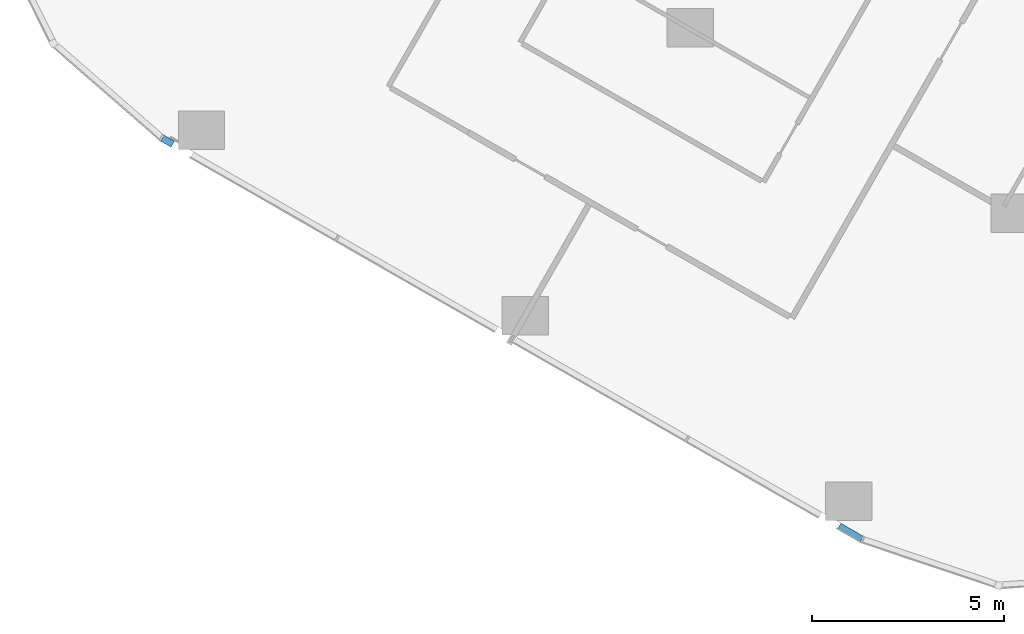
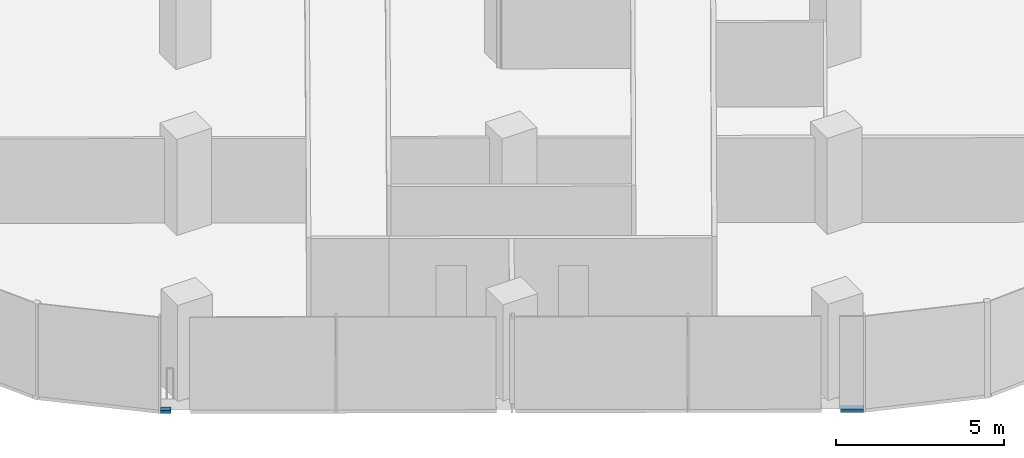
# One storey, part 16 of 34: 2 members, 1 element without a shape of its own.
"""IFC4 building model written with IfcOpenShell, lengths in metres."""

import ifcopenshell
import ifcopenshell.guid

model = None  # the IFC model being written
_history = None  # IfcOwnerHistory: only IFC2X3 demands one
_inside = {}  # id of a spatial element -> (the spatial element, [elements in it])
_under = {}  # id of a project, library or spatial element -> (it, [spatial elements below it])
_declared = {}  # id of a project -> (the project, [libraries it declares])
_typed = {}  # id of a type object -> (the type object, [elements of that type])
_made_of = {}  # id of a material, layer set ... -> (it, [elements and type objects made of it])


def new_model(schema):
    """Start an empty IFC model of exactly this schema.

    Asked for "IFC4X3", IfcOpenShell would pick the latest addendum, in which some entities
    have other attributes; the version numbers below select the first issue.
    IFC2X3 requires an IfcOwnerHistory on every rooted entity: one is made here for all.
    """
    global model, _history
    if schema == "IFC4X3":
        model = ifcopenshell.file(schema_version=(4, 3, 0, 0))
    else:
        model = ifcopenshell.file(schema=schema)
    _inside.clear()
    _under.clear()
    _declared.clear()
    _typed.clear()
    _made_of.clear()
    _history = None
    if model.schema == "IFC2X3":
        org = make("IfcOrganization", Name="unknown")
        user = make(
            "IfcPersonAndOrganization",
            ThePerson=make("IfcPerson", FamilyName="unknown"),
            TheOrganization=org,
        )
        app = make(
            "IfcApplication",
            ApplicationDeveloper=org,
            Version="unknown",
            ApplicationFullName="unknown",
            ApplicationIdentifier="unknown",
        )
        _history = make(
            "IfcOwnerHistory",
            OwningUser=user,
            OwningApplication=app,
            ChangeAction="ADDED",
            CreationDate=0,
        )
    return model


def make(cls, **values):
    """One entity of the class cls with the attributes given. An attribute that is None is left unset."""
    return model.create_entity(
        cls, **{name: value for name, value in values.items() if value is not None}
    )


def rooted(cls, **values):
    """An entity with a GlobalId (a new one), such as an element, a storey or a relation."""
    return make(cls, GlobalId=ifcopenshell.guid.new(), OwnerHistory=_history, **values)


def si_unit(unit_type, name, prefix=None):
    """IfcSIUnit, for example si_unit("LENGTHUNIT", "METRE", prefix="MILLI")."""
    return make("IfcSIUnit", UnitType=unit_type, Prefix=prefix, Name=name)


def assignment(units):
    """IfcUnitAssignment: the units of a project."""
    return None if units is None else make("IfcUnitAssignment", Units=units)


def point(xyz):
    """IfcCartesianPoint."""
    return None if xyz is None else make("IfcCartesianPoint", Coordinates=xyz)


def direction(xyz):
    """IfcDirection."""
    return None if xyz is None else make("IfcDirection", DirectionRatios=xyz)


def frame(location, z_axis=None, x_axis=None):
    """IfcAxis2Placement3D, a coordinate frame: its origin and axes. An axis left out is left unset."""
    return make(
        "IfcAxis2Placement3D",
        Location=point(location),
        Axis=direction(z_axis),
        RefDirection=direction(x_axis),
    )


def frame_2d(location, x_axis=None):
    """IfcAxis2Placement2D, a coordinate frame in the plane: its origin and x axis."""
    return make(
        "IfcAxis2Placement2D", Location=point(location), RefDirection=direction(x_axis)
    )


def origin():
    """The frame at (0, 0, 0) with its axes left unset."""
    return frame((0.0, 0.0, 0.0))


def origin_2d():
    """The frame at (0, 0) in the plane with its x axis left unset."""
    return frame_2d((0.0, 0.0))


def place(relative_to, where):
    """IfcLocalPlacement: puts the frame where relative to a parent placement (None: the world)."""
    return make(
        "IfcLocalPlacement", PlacementRelTo=relative_to, RelativePlacement=where
    )


def context(
    kind, dimensions, precision=None, world=None, true_north=None, identifier=None
):
    """IfcGeometricRepresentationContext, for example the 3D "Model" context."""
    return make(
        "IfcGeometricRepresentationContext",
        ContextIdentifier=identifier,
        ContextType=kind,
        CoordinateSpaceDimension=dimensions,
        Precision=precision,
        WorldCoordinateSystem=world,
        TrueNorth=true_north,
    )


def subcontext(parent, identifier, kind, view, scale=None):
    """IfcGeometricRepresentationSubContext, for example "Body" below "Model"."""
    return make(
        "IfcGeometricRepresentationSubContext",
        ContextIdentifier=identifier,
        ContextType=kind,
        ParentContext=parent,
        TargetScale=scale,
        TargetView=view,
    )


def project(units=None, contexts=None):
    """IfcProject with its units and contexts."""
    return rooted(
        "IfcProject",
        Name="project",
        RepresentationContexts=contexts,
        UnitsInContext=assignment(units),
    )


def spatial(cls, under=None, at=None, **own):
    """A site, building, storey or space (cls), placed at a placement, below another one or the project."""
    s = rooted(cls, ObjectPlacement=at, **own)
    if under is not None:
        _under.setdefault(under.id(), (under, []))[1].append(s)
    return s


def profile(cls, at=None, kind="AREA", **sizes):
    """A parametric profile (cls). Its sizes go by their IFC names, for example OverallWidth=200.0."""
    return make(cls, ProfileType=kind, Position=at, **sizes)


def rectangle(**sizes):
    """IfcRectangleProfileDef."""
    return profile("IfcRectangleProfileDef", **sizes)


def extrude(swept, where, along, depth):
    """IfcExtrudedAreaSolid: the profile swept, set in the frame where, extruded along a direction by depth."""
    return make(
        "IfcExtrudedAreaSolid",
        SweptArea=swept,
        Position=where,
        ExtrudedDirection=direction(along),
        Depth=depth,
    )


def shape(context_of_items, identifier, shape_type, items):
    """IfcShapeRepresentation: the items that make up one representation, for example the "Body"."""
    return make(
        "IfcShapeRepresentation",
        ContextOfItems=context_of_items,
        RepresentationIdentifier=identifier,
        RepresentationType=shape_type,
        Items=items,
    )


def material(Name=None, Category=None):
    """IfcMaterial."""
    return make("IfcMaterial", Name=Name, Category=Category)


def material_profile(
    of_material, cross_section, Name=None, Category=None, Priority=None
):
    """IfcMaterialProfile: a cross section and its material."""
    return make(
        "IfcMaterialProfile",
        Name=Name,
        Material=of_material,
        Profile=cross_section,
        Priority=Priority,
        Category=Category,
    )


def profile_set(profiles, Name=None, composite=None):
    """IfcMaterialProfileSet."""
    return make(
        "IfcMaterialProfileSet",
        Name=Name,
        MaterialProfiles=profiles,
        CompositeProfile=composite,
    )


def made_of(thing, what):
    """Note that an element or type object is made of a material, layer set ...; save() writes the relation."""
    if what is not None:
        _made_of.setdefault(what.id(), (what, []))[1].append(thing)
    return thing


def type_object(cls, material=None, **own):
    """A type object (cls), such as IfcWallType, which elements share."""
    return made_of(rooted(cls, **own), material)


def element(
    cls,
    number,
    at=None,
    inside=None,
    cuts=None,
    type_object=None,
    material=None,
    context=None,
    identifier="Body",
    shape_type=None,
    held_by="IfcProductDefinitionShape",
    body=None,
    shapes=None,
    **own,
):
    """One element of the class cls, such as IfcWall. Its Tag is "e" and its number.

    at: its placement. inside: the storey or other place that contains it. cuts: it is an
    opening in that element (IfcRelVoidsElement). A single representation is given by context,
    identifier, shape_type and body (its items); several are given by shapes. held_by: the class
    of the entity that holds the representations. save() writes the other relations.
    """
    e = rooted(cls, Tag="e%d" % number, ObjectPlacement=at, **own)
    if body is not None:
        shapes = [shape(context, identifier, shape_type, body)]
    if shapes is not None:
        e.Representation = make(held_by, Representations=shapes)
    if inside is not None:
        _inside.setdefault(inside.id(), (inside, []))[1].append(e)
    if cuts is not None:
        rooted(
            "IfcRelVoidsElement", RelatingBuildingElement=cuts, RelatedOpeningElement=e
        )
    if type_object is not None:
        _typed.setdefault(type_object.id(), (type_object, []))[1].append(e)
    return made_of(e, material)


def aggregate(whole, parts):
    """IfcRelAggregates: a whole, such as a stair, and the parts it consists of."""
    return rooted("IfcRelAggregates", RelatingObject=whole, RelatedObjects=parts)


def save(model, path):
    """Write the relations noted so far, then the file.

    IfcRelAggregates (storeys below a building ...), IfcRelContainedInSpatialStructure (elements
    in a storey), IfcRelDefinesByType, IfcRelAssociatesMaterial and IfcRelDeclares: one each for
    every whole, place, type object, material and project.
    """
    for whole, parts in _under.values():
        aggregate(whole, parts)
    for where, things in _inside.values():
        rooted(
            "IfcRelContainedInSpatialStructure",
            RelatedElements=things,
            RelatingStructure=where,
        )
    for kind, things in _typed.values():
        rooted("IfcRelDefinesByType", RelatedObjects=things, RelatingType=kind)
    for what, things in _made_of.values():
        rooted("IfcRelAssociatesMaterial", RelatedObjects=things, RelatingMaterial=what)
    for by, libraries in _declared.values():
        rooted("IfcRelDeclares", RelatingContext=by, RelatedDefinitions=libraries)
    model.write(path)


model = new_model("IFC4")

# Units and contexts
model_context = context("Model", 3, precision=1e-05, world=origin(), true_north=direction((0.0, 1.0)))
body_context = subcontext(model_context, "Body", "Model", "MODEL_VIEW")
ifc_project = project(units=[si_unit("LENGTHUNIT", "METRE"), si_unit("AREAUNIT", "SQUARE_METRE"), si_unit("VOLUMEUNIT", "CUBIC_METRE"), si_unit("PLANEANGLEUNIT", "RADIAN"), si_unit("MASSUNIT", "GRAM", prefix="KILO")], contexts=[model_context])

# Site, building, storey
site_placement = place(None, origin())
site = spatial("IfcSite", under=ifc_project, at=site_placement, CompositionType="ELEMENT")
building_placement = place(site_placement, origin())
building = spatial("IfcBuilding", under=site, at=building_placement, Name="Orlundy Tower", CompositionType="ELEMENT")
storey_placement = place(building_placement, frame((0.0, 0.0, 109.199951171875)))
storey = spatial("IfcBuildingStorey", under=building, at=storey_placement, Name="L27", CompositionType="ELEMENT", Elevation=109.199951171875)

# Curtain wall, members
ifc_material_1 = material(Name="Aluminium bronze anodised", Category="aluminium")
curtain_wall_type = type_object("IfcCurtainWallType", Name="CW1 wall", PredefinedType="NOTDEFINED", material=ifc_material_1)
curtain_wall_placement = place(storey_placement, origin())
curtain_wall = element("IfcCurtainWall", 1, at=curtain_wall_placement, inside=storey, type_object=curtain_wall_type, Name="CW1 run 07", PredefinedType="NOTDEFINED")
ifc_material_2 = material(Name="Aluminium bronze anodised", Category="aluminium")
ifc_material_profile = material_profile(ifc_material_2, rectangle(XDim=0.179931640625, YDim=0.1201171875, at=origin_2d()), Name="CW1 transom 180x120")
ifc_profile_set = profile_set([ifc_material_profile], Name="Aluminium bronze anodised")
member_type = type_object("IfcMemberType", Name="CW1 transom 180x120", PredefinedType="USERDEFINED", material=ifc_profile_set)
member_1_placement = place(storey_placement, frame((-20.5498046875, -56.907958984375, -0.33984375), z_axis=(-0.867534563836, 0.497376899896, 0.0), x_axis=(-0.497376899896, -0.867534563836, 0.0)))
member_1 = element("IfcMember", 2, at=member_1_placement, type_object=member_type, Name="CW1 transom", ObjectType="TRANSOM", PredefinedType="USERDEFINED", context=body_context, shape_type="SweptSolid", body=[
    extrude(rectangle(XDim=0.179931640625, YDim=0.1201171875, at=origin_2d()), origin(), (0.0, 0.0, 1.0), 0.679443359375),
])
member_2_placement = place(storey_placement, frame((-38.466064453125, -46.633544921875, -0.33984375), z_axis=(-0.867333798225, 0.497726915544, 0.0), x_axis=(-0.497726915544, -0.867333798225, 0.0)))
member_2 = element("IfcMember", 3, at=member_2_placement, type_object=member_type, Name="CW1 transom", ObjectType="TRANSOM", PredefinedType="USERDEFINED", context=body_context, shape_type="SweptSolid", body=[
    extrude(rectangle(XDim=0.179931640625, YDim=0.1201171875, at=origin_2d()), origin(), (0.0, 0.0, 1.0), 0.314453125),
])
aggregate(curtain_wall, [member_1, member_2])

save(model, "model.ifc")
